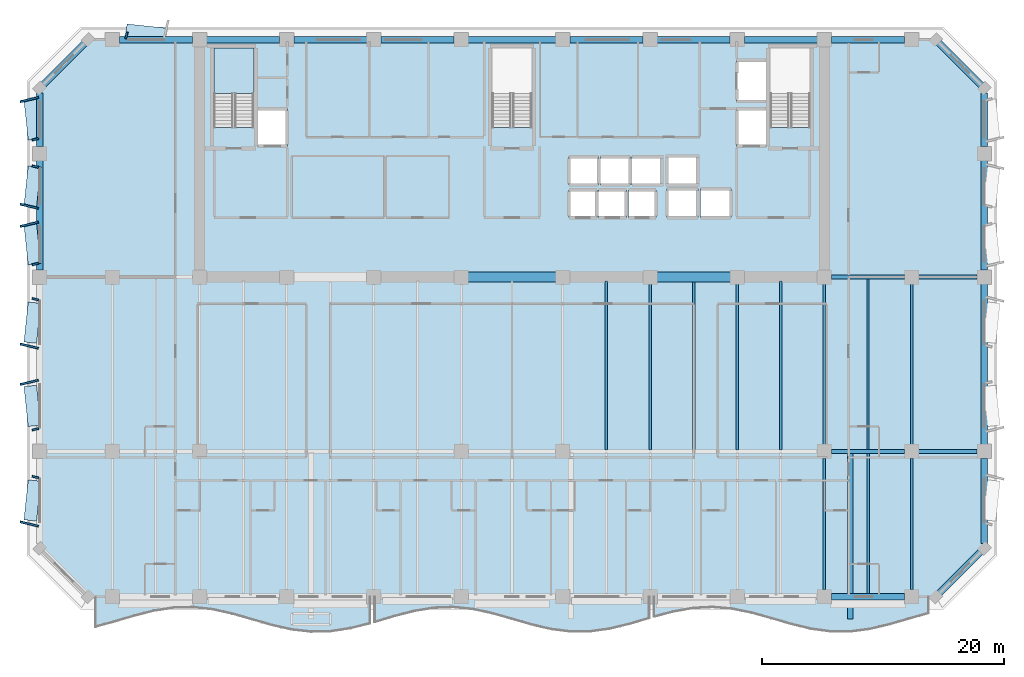
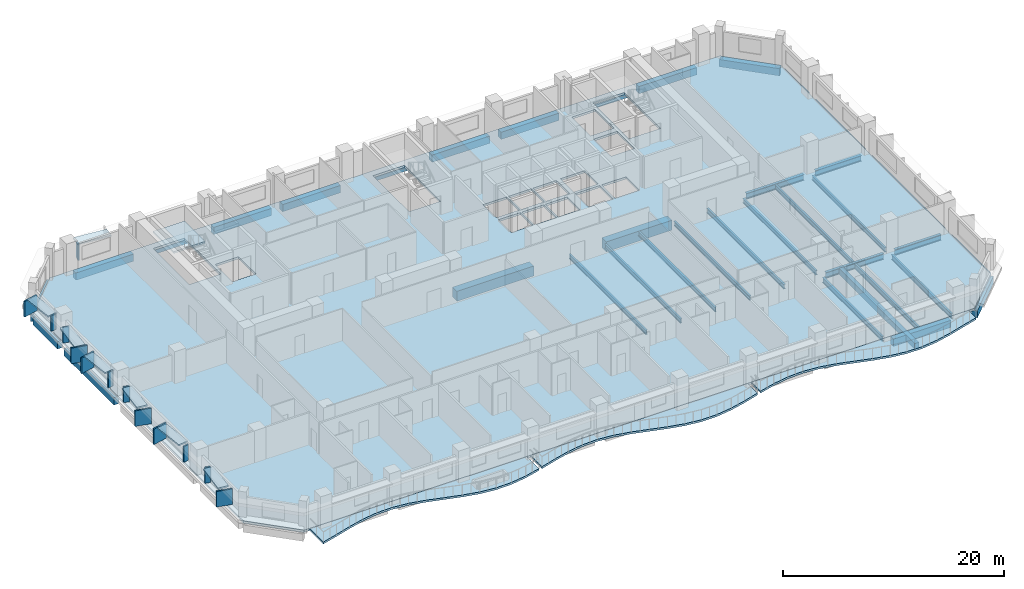
# One storey, part 2 of 15: 37 beams, 20 plates, 5 slabs, 1 element without a shape of its own.
"""IFC4 building model written with IfcOpenShell, lengths in metres."""

from ifc_helpers import new_model, si_unit, direction, frame, origin, origin_2d, place, context, subcontext, project, spatial, polyline, rectangle, i_section, outline, extrude, material, layer, layer_set, material_profile, profile_set, type_object, element, aggregate, save


model = new_model("IFC4")

# Units and contexts
model_context = context("Model", 3, precision=1e-05, world=origin(), true_north=direction((0.0, 1.0)))
body_context = subcontext(model_context, "Body", "Model", "MODEL_VIEW")
ifc_project = project(units=[si_unit("LENGTHUNIT", "METRE"), si_unit("AREAUNIT", "SQUARE_METRE"), si_unit("VOLUMEUNIT", "CUBIC_METRE"), si_unit("PLANEANGLEUNIT", "RADIAN"), si_unit("MASSUNIT", "GRAM", prefix="KILO")], contexts=[model_context])

# Site, building, storey
site_placement = place(None, origin())
site = spatial("IfcSite", under=ifc_project, at=site_placement, CompositionType="ELEMENT")
building_placement = place(site_placement, origin())
building = spatial("IfcBuilding", under=site, at=building_placement, Name="Kaelvorn Grand Hotel", CompositionType="ELEMENT")
storey_placement = place(building_placement, frame((0.0, 0.0, 150.550048828125)))
storey = spatial("IfcBuildingStorey", under=building, at=storey_placement, Name="L36", CompositionType="ELEMENT", Elevation=150.550048828125)

# Beams
ifc_material_1 = material(Name="Steel S355", Category="steel")
ifc_material_profile_1 = material_profile(ifc_material_1, i_section(OverallWidth=0.300048828125, OverallDepth=0.64990234375, WebThickness=0.01611328125, FlangeThickness=0.031005859375, FilletRadius=0.027099609375, at=origin_2d()), Name="HEB 650")
ifc_profile_set_1 = profile_set([ifc_material_profile_1], Name="Steel S355")
beam_type_1 = type_object("IfcBeamType", Name="BM-G-HEB650-S355", PredefinedType="BEAM", material=ifc_profile_set_1)
beam_1_placement = place(storey_placement, frame((68.385009765625, 15.0, -0.56494140625), z_axis=(1.0, 0.0, 0.0), x_axis=(0.0, 1.0, 0.0)))
element("IfcBeam", 1, at=beam_1_placement, inside=storey, type_object=beam_type_1, Name="L36 Primary Spine Steel Girder G-15 06", PredefinedType="BEAM", context=body_context, shape_type="SweptSolid", body=[
    extrude(i_section(OverallWidth=0.300048828125, OverallDepth=0.64990234375, WebThickness=0.01611328125, FlangeThickness=0.031005859375, FilletRadius=0.027099609375, at=origin_2d()), origin(), (0.0, 0.0, 1.0), 6.030029296875),
])
beam_2_placement = place(storey_placement, frame((75.5849609375, 15.0, -0.56494140625), z_axis=(1.0, 0.0, 0.0), x_axis=(0.0, 1.0, 0.0)))
element("IfcBeam", 2, at=beam_2_placement, inside=storey, type_object=beam_type_1, Name="L36 Primary Spine Steel Girder G-15 07", PredefinedType="BEAM", context=body_context, shape_type="SweptSolid", body=[
    extrude(i_section(OverallWidth=0.300048828125, OverallDepth=0.64990234375, WebThickness=0.01611328125, FlangeThickness=0.031005859375, FilletRadius=0.027099609375, at=origin_2d()), origin(), (0.0, 0.0, 1.0), 4.830078125),
])
beam_3_placement = place(storey_placement, frame((68.385009765625, 29.39990234375, -0.56494140625), z_axis=(1.0, 0.0, 0.0), x_axis=(0.0, 1.0, 0.0)))
element("IfcBeam", 3, at=beam_3_placement, inside=storey, type_object=beam_type_1, Name="L36 East Core Wing Steel Girder G-29E 01", PredefinedType="BEAM", context=body_context, shape_type="SweptSolid", body=[
    extrude(i_section(OverallWidth=0.300048828125, OverallDepth=0.64990234375, WebThickness=0.01611328125, FlangeThickness=0.031005859375, FilletRadius=0.027099609375, at=origin_2d()), origin(), (0.0, 0.0, 1.0), 6.030029296875),
])
beam_4_placement = place(storey_placement, frame((75.5849609375, 29.39990234375, -0.56494140625), z_axis=(1.0, 0.0, 0.0), x_axis=(0.0, 1.0, 0.0)))
element("IfcBeam", 4, at=beam_4_placement, inside=storey, type_object=beam_type_1, Name="L36 East Core Wing Steel Girder G-29E 02", PredefinedType="BEAM", context=body_context, shape_type="SweptSolid", body=[
    extrude(i_section(OverallWidth=0.300048828125, OverallDepth=0.64990234375, WebThickness=0.01611328125, FlangeThickness=0.031005859375, FilletRadius=0.027099609375, at=origin_2d()), origin(), (0.0, 0.0, 1.0), 4.830078125),
])
ifc_material_profile_2 = material_profile(ifc_material_1, i_section(OverallWidth=0.199951171875, OverallDepth=0.5, WebThickness=0.01025390625, FlangeThickness=0.01611328125, FilletRadius=0.02099609375, at=origin_2d()), Name="IPE 500")
ifc_profile_set_2 = profile_set([ifc_material_profile_2], Name="Steel S355")
beam_type_2 = type_object("IfcBeamType", Name="BM-J-IPE500-S355", PredefinedType="JOIST", material=ifc_profile_set_2)
beam_5_placement = place(storey_placement, frame((49.800048828125, 15.135009765625, -0.489990234375), z_axis=(0.0, 1.0, 0.0), x_axis=(-1.0, 0.0, 0.0)))
element("IfcBeam", 5, at=beam_5_placement, inside=storey, type_object=beam_type_2, Name="L36 Composite Floor Joist JM-14", PredefinedType="JOIST", context=body_context, shape_type="SweptSolid", body=[
    extrude(i_section(OverallWidth=0.199951171875, OverallDepth=0.5, WebThickness=0.01025390625, FlangeThickness=0.01611328125, FilletRadius=0.02099609375, at=origin_2d()), origin(), (0.0, 0.0, 1.0), 13.925048828125),
])
beam_6_placement = place(storey_placement, frame((53.39990234375, 15.135009765625, -0.489990234375), z_axis=(0.0, 1.0, 0.0), x_axis=(-1.0, 0.0, 0.0)))
element("IfcBeam", 6, at=beam_6_placement, inside=storey, type_object=beam_type_2, Name="L36 Composite Floor Joist JM-15", PredefinedType="JOIST", context=body_context, shape_type="SweptSolid", body=[
    extrude(i_section(OverallWidth=0.199951171875, OverallDepth=0.5, WebThickness=0.01025390625, FlangeThickness=0.01611328125, FilletRadius=0.02099609375, at=origin_2d()), origin(), (0.0, 0.0, 1.0), 13.679931640625),
])
beam_7_placement = place(storey_placement, frame((57.0, 15.135009765625, -0.489990234375), z_axis=(0.0, 1.0, 0.0), x_axis=(-1.0, 0.0, 0.0)))
element("IfcBeam", 7, at=beam_7_placement, inside=storey, type_object=beam_type_2, Name="L36 Composite Floor Joist JM-16", PredefinedType="JOIST", context=body_context, shape_type="SweptSolid", body=[
    extrude(i_section(OverallWidth=0.199951171875, OverallDepth=0.5, WebThickness=0.01025390625, FlangeThickness=0.01611328125, FilletRadius=0.02099609375, at=origin_2d()), origin(), (0.0, 0.0, 1.0), 13.925048828125),
])
beam_8_placement = place(storey_placement, frame((60.60009765625, 15.135009765625, -0.489990234375), z_axis=(0.0, 1.0, 0.0), x_axis=(-1.0, 0.0, 0.0)))
element("IfcBeam", 8, at=beam_8_placement, inside=storey, type_object=beam_type_2, Name="L36 Composite Floor Joist JM-17", PredefinedType="JOIST", context=body_context, shape_type="SweptSolid", body=[
    extrude(i_section(OverallWidth=0.199951171875, OverallDepth=0.5, WebThickness=0.01025390625, FlangeThickness=0.01611328125, FilletRadius=0.02099609375, at=origin_2d()), origin(), (0.0, 0.0, 1.0), 13.679931640625),
])
beam_9_placement = place(storey_placement, frame((64.199951171875, 15.135009765625, -0.489990234375), z_axis=(0.0, 1.0, 0.0), x_axis=(-1.0, 0.0, 0.0)))
element("IfcBeam", 9, at=beam_9_placement, inside=storey, type_object=beam_type_2, Name="L36 Composite Floor Joist JM-18", PredefinedType="JOIST", context=body_context, shape_type="SweptSolid", body=[
    extrude(i_section(OverallWidth=0.199951171875, OverallDepth=0.5, WebThickness=0.01025390625, FlangeThickness=0.01611328125, FilletRadius=0.02099609375, at=origin_2d()), origin(), (0.0, 0.0, 1.0), 13.925048828125),
])
beam_10_placement = place(storey_placement, frame((67.800048828125, 15.5849609375, -0.489990234375), z_axis=(0.0, 1.0, 0.0), x_axis=(-1.0, 0.0, 0.0)))
element("IfcBeam", 10, at=beam_10_placement, inside=storey, type_object=beam_type_2, Name="L36 Composite Floor Joist JM-19", PredefinedType="JOIST", context=body_context, shape_type="SweptSolid", body=[
    extrude(i_section(OverallWidth=0.199951171875, OverallDepth=0.5, WebThickness=0.01025390625, FlangeThickness=0.01611328125, FilletRadius=0.02099609375, at=origin_2d()), origin(), (0.0, 0.0, 1.0), 13.22998046875),
])
beam_11_placement = place(storey_placement, frame((71.39990234375, 15.135009765625, -0.489990234375), z_axis=(0.0, 1.0, 0.0), x_axis=(-1.0, 0.0, 0.0)))
element("IfcBeam", 11, at=beam_11_placement, inside=storey, type_object=beam_type_2, Name="L36 Composite Floor Joist JM-20", PredefinedType="JOIST", context=body_context, shape_type="SweptSolid", body=[
    extrude(i_section(OverallWidth=0.199951171875, OverallDepth=0.5, WebThickness=0.01025390625, FlangeThickness=0.01611328125, FilletRadius=0.02099609375, at=origin_2d()), origin(), (0.0, 0.0, 1.0), 14.1298828125),
])
beam_12_placement = place(storey_placement, frame((75.0, 15.5849609375, -0.489990234375), z_axis=(0.0, 1.0, 0.0), x_axis=(-1.0, 0.0, 0.0)))
element("IfcBeam", 12, at=beam_12_placement, inside=storey, type_object=beam_type_2, Name="L36 Composite Floor Joist JM-21", PredefinedType="JOIST", context=body_context, shape_type="SweptSolid", body=[
    extrude(i_section(OverallWidth=0.199951171875, OverallDepth=0.5, WebThickness=0.01025390625, FlangeThickness=0.01611328125, FilletRadius=0.02099609375, at=origin_2d()), origin(), (0.0, 0.0, 1.0), 13.22998046875),
])
ifc_material_profile_3 = material_profile(ifc_material_1, i_section(OverallWidth=0.2099609375, OverallDepth=0.550048828125, WebThickness=0.010986328125, FlangeThickness=0.01708984375, FilletRadius=0.02392578125, at=origin_2d()), Name="IPE 550")
ifc_profile_set_3 = profile_set([ifc_material_profile_3], Name="Steel S355")
beam_type_3 = type_object("IfcBeamType", Name="BM-J-IPE550-S355", PredefinedType="JOIST", material=ifc_profile_set_3)
beam_13_placement = place(storey_placement, frame((67.800048828125, 3.5849609375, -0.51513671875), z_axis=(0.0, 1.0, 0.0), x_axis=(-1.0, 0.0, 0.0)))
element("IfcBeam", 13, at=beam_13_placement, inside=storey, type_object=beam_type_3, Name="L36 Composite Floor Joist JS-19", PredefinedType="JOIST", context=body_context, shape_type="SweptSolid", body=[
    extrude(i_section(OverallWidth=0.2099609375, OverallDepth=0.550048828125, WebThickness=0.010986328125, FlangeThickness=0.01708984375, FilletRadius=0.02392578125, at=origin_2d()), origin(), (0.0, 0.0, 1.0), 10.830078125),
])
beam_14_placement = place(storey_placement, frame((71.39990234375, 3.260009765625, -0.51513671875), z_axis=(0.0, 1.0, 0.0), x_axis=(-1.0, 0.0, 0.0)))
element("IfcBeam", 14, at=beam_14_placement, inside=storey, type_object=beam_type_3, Name="L36 Composite Floor Joist JS-20", PredefinedType="JOIST", context=body_context, shape_type="SweptSolid", body=[
    extrude(i_section(OverallWidth=0.2099609375, OverallDepth=0.550048828125, WebThickness=0.010986328125, FlangeThickness=0.01708984375, FilletRadius=0.02392578125, at=origin_2d()), origin(), (0.0, 0.0, 1.0), 11.60498046875),
])
beam_15_placement = place(storey_placement, frame((75.0, 3.5849609375, -0.51513671875), z_axis=(0.0, 1.0, 0.0), x_axis=(-1.0, 0.0, 0.0)))
element("IfcBeam", 15, at=beam_15_placement, inside=storey, type_object=beam_type_3, Name="L36 Composite Floor Joist JS-21", PredefinedType="JOIST", context=body_context, shape_type="SweptSolid", body=[
    extrude(i_section(OverallWidth=0.2099609375, OverallDepth=0.550048828125, WebThickness=0.010986328125, FlangeThickness=0.01708984375, FilletRadius=0.02392578125, at=origin_2d()), origin(), (0.0, 0.0, 1.0), 10.830078125),
])
ifc_material_2 = material(Name="Concrete C60/75", Category="concrete")
ifc_material_profile_4 = material_profile(ifc_material_2, rectangle(XDim=0.800048828125, YDim=1.10009765625, at=origin_2d()), Name="RC LINTEL 800x1100")
ifc_profile_set_4 = profile_set([ifc_material_profile_4], Name="Concrete C60/75")
beam_type_4 = type_object("IfcBeamType", Name="BM-LIN-800x1100-C60", PredefinedType="LINTEL", material=ifc_profile_set_4)
beam_16_placement = place(storey_placement, frame((37.97998046875, 29.39990234375, -0.7900390625), z_axis=(1.0, 0.0, 0.0), x_axis=(0.0, 1.0, 0.0)))
element("IfcBeam", 16, at=beam_16_placement, inside=storey, type_object=beam_type_4, Name="L36 Rear-Core Coupling Lintel Beam CB1-02", PredefinedType="LINTEL", context=body_context, shape_type="SweptSolid", body=[
    extrude(rectangle(XDim=0.800048828125, YDim=1.10009765625, at=origin_2d()), origin(), (0.0, 0.0, 1.0), 8.0400390625),
])
beam_17_placement = place(storey_placement, frame((53.580078125, 29.39990234375, -0.7900390625), z_axis=(1.0, 0.0, 0.0), x_axis=(0.0, 1.0, 0.0)))
element("IfcBeam", 17, at=beam_17_placement, inside=storey, type_object=beam_type_4, Name="L36 Rear-Core Coupling Lintel Beam CB1-03", PredefinedType="LINTEL", context=body_context, shape_type="SweptSolid", body=[
    extrude(rectangle(XDim=0.800048828125, YDim=1.10009765625, at=origin_2d()), origin(), (0.0, 0.0, 1.0), 6.83984375),
])
ifc_material_3 = material(Name="Concrete C40/50", Category="concrete")
ifc_material_profile_5 = material_profile(ifc_material_3, rectangle(XDim=0.449951171875, YDim=0.64990234375, at=origin_2d()), Name="RC RIB 450x650")
ifc_profile_set_5 = profile_set([ifc_material_profile_5], Name="Concrete C40/50")
beam_type_5 = type_object("IfcBeamType", Name="BM-RIB-450x650-C40", PredefinedType="SPANDREL", material=ifc_profile_set_5)
beam_18_placement = place(storey_placement, frame((69.923828125, 1.14990234375, -0.545166015625), z_axis=(0.0, 1.0, 0.0), x_axis=(-1.0, 0.0, 0.0)))
element("IfcBeam", 18, at=beam_18_placement, inside=storey, type_object=beam_type_5, Name="L36 Cantilevered Balcony Back-Span Rib RB1-3", PredefinedType="SPANDREL", context=body_context, shape_type="SweptSolid", body=[
    extrude(rectangle(XDim=0.449951171875, YDim=0.64990234375, at=origin_2d()), origin(), (0.0, 0.0, 1.0), 13.715087890625),
])
ifc_material_4 = material(Name="Concrete C50/60", Category="concrete")
ifc_material_profile_6 = material_profile(ifc_material_4, rectangle(XDim=0.550048828125, YDim=0.800048828125, at=origin_2d()), Name="RC SPANDREL 550x800")
ifc_profile_set_6 = profile_set([ifc_material_profile_6], Name="Concrete C50/60")
beam_type_6 = type_object("IfcBeamType", Name="BM-SP-550x800-C50", PredefinedType="SPANDREL", material=ifc_profile_set_6)
for number, where, z_axis, x_axis, name in (
    (19, (68.385009765625, 3.0, -0.64013671875), (1.0, 0.0, 0.0), (0.0, 1.0, 0.0), "L36 South Perimeter Spandrel 10"),
    (20, (9.5849609375, 49.0, -0.64013671875), (1.0, 0.0, 0.0), (0.0, 1.0, 0.0), "L36 North Perimeter Spandrel 02"),
    (21, (16.784912109375, 49.0, -0.64013671875), (1.0, 0.0, 0.0), (0.0, 1.0, 0.0), "L36 North Perimeter Spandrel 03"),
):
    element("IfcBeam", number, at=place(storey_placement, frame(where, z_axis=z_axis, x_axis=x_axis)), inside=storey, type_object=beam_type_6, Name=name, PredefinedType="SPANDREL", context=body_context, shape_type="SweptSolid", body=[
        extrude(rectangle(XDim=0.550048828125, YDim=0.800048828125, at=origin_2d()), origin(), (0.0, 0.0, 1.0), 6.030029296875),
    ])
beam_19_placement = place(storey_placement, frame((23.985107421875, 49.0, -0.64013671875), z_axis=(1.0, 0.0, 0.0), x_axis=(0.0, 1.0, 0.0)))
element("IfcBeam", 22, at=beam_19_placement, inside=storey, type_object=beam_type_6, Name="L36 North Perimeter Spandrel 04", PredefinedType="SPANDREL", context=body_context, shape_type="SweptSolid", body=[
    extrude(rectangle(XDim=0.550048828125, YDim=0.800048828125, at=origin_2d()), origin(), (0.0, 0.0, 1.0), 6.02978515625),
])
beam_20_placement = place(storey_placement, frame((31.18505859375, 49.0, -0.64013671875), z_axis=(1.0, 0.0, 0.0), x_axis=(0.0, 1.0, 0.0)))
element("IfcBeam", 23, at=beam_20_placement, inside=storey, type_object=beam_type_6, Name="L36 North Perimeter Spandrel 05", PredefinedType="SPANDREL", context=body_context, shape_type="SweptSolid", body=[
    extrude(rectangle(XDim=0.550048828125, YDim=0.800048828125, at=origin_2d()), origin(), (0.0, 0.0, 1.0), 6.030029296875),
])
beam_21_placement = place(storey_placement, frame((38.385009765625, 49.0, -0.64013671875), z_axis=(1.0, 0.0, 0.0), x_axis=(0.0, 1.0, 0.0)))
element("IfcBeam", 24, at=beam_21_placement, inside=storey, type_object=beam_type_6, Name="L36 North Perimeter Spandrel 06", PredefinedType="SPANDREL", context=body_context, shape_type="SweptSolid", body=[
    extrude(rectangle(XDim=0.550048828125, YDim=0.800048828125, at=origin_2d()), origin(), (0.0, 0.0, 1.0), 7.22998046875),
])
beam_22_placement = place(storey_placement, frame((46.784912109375, 49.0, -0.64013671875), z_axis=(1.0, 0.0, 0.0), x_axis=(0.0, 1.0, 0.0)))
element("IfcBeam", 25, at=beam_22_placement, inside=storey, type_object=beam_type_6, Name="L36 North Perimeter Spandrel 07", PredefinedType="SPANDREL", context=body_context, shape_type="SweptSolid", body=[
    extrude(rectangle(XDim=0.550048828125, YDim=0.800048828125, at=origin_2d()), origin(), (0.0, 0.0, 1.0), 6.030029296875),
])
beam_23_placement = place(storey_placement, frame((53.985107421875, 49.0, -0.64013671875), z_axis=(1.0, 0.0, 0.0), x_axis=(0.0, 1.0, 0.0)))
element("IfcBeam", 26, at=beam_23_placement, inside=storey, type_object=beam_type_6, Name="L36 North Perimeter Spandrel 08", PredefinedType="SPANDREL", context=body_context, shape_type="SweptSolid", body=[
    extrude(rectangle(XDim=0.550048828125, YDim=0.800048828125, at=origin_2d()), origin(), (0.0, 0.0, 1.0), 6.02978515625),
])
for number, where, z_axis, x_axis, name in (
    (27, (61.18505859375, 49.0, -0.64013671875), (1.0, 0.0, 0.0), (0.0, 1.0, 0.0), "L36 North Perimeter Spandrel 09"),
    (28, (68.385009765625, 49.0, -0.64013671875), (1.0, 0.0, 0.0), (0.0, 1.0, 0.0), "L36 North Perimeter Spandrel 10"),
):
    element("IfcBeam", number, at=place(storey_placement, frame(where, z_axis=z_axis, x_axis=x_axis)), inside=storey, type_object=beam_type_6, Name=name, PredefinedType="SPANDREL", context=body_context, shape_type="SweptSolid", body=[
        extrude(rectangle(XDim=0.550048828125, YDim=0.800048828125, at=origin_2d()), origin(), (0.0, 0.0, 1.0), 6.030029296875),
    ])
beam_24_placement = place(storey_placement, frame((3.0, 29.985107421875, -0.64013671875), z_axis=(0.0, 1.0, 0.0), x_axis=(-1.0, 0.0, 0.0)))
element("IfcBeam", 29, at=beam_24_placement, inside=storey, type_object=beam_type_6, Name="L36 West Perimeter Spandrel 03", PredefinedType="SPANDREL", context=body_context, shape_type="SweptSolid", body=[
    extrude(rectangle(XDim=0.550048828125, YDim=0.800048828125, at=origin_2d()), origin(), (0.0, 0.0, 1.0), 9.02978515625),
])
beam_25_placement = place(storey_placement, frame((3.0, 40.18505859375, -0.64013671875), z_axis=(0.0, 1.0, 0.0), x_axis=(-1.0, 0.0, 0.0)))
element("IfcBeam", 30, at=beam_25_placement, inside=storey, type_object=beam_type_6, Name="L36 West Perimeter Spandrel 04", PredefinedType="SPANDREL", context=body_context, shape_type="SweptSolid", body=[
    extrude(rectangle(XDim=0.550048828125, YDim=0.800048828125, at=origin_2d()), origin(), (0.0, 0.0, 1.0), 4.409912109375),
])
beam_26_placement = place(storey_placement, frame((81.0, 7.405029296875, -0.64013671875), z_axis=(0.0, 1.0, 0.0), x_axis=(-1.0, 0.0, 0.0)))
element("IfcBeam", 31, at=beam_26_placement, inside=storey, type_object=beam_type_6, Name="L36 East Perimeter Spandrel 01", PredefinedType="SPANDREL", context=body_context, shape_type="SweptSolid", body=[
    extrude(rectangle(XDim=0.550048828125, YDim=0.800048828125, at=origin_2d()), origin(), (0.0, 0.0, 1.0), 7.010009765625),
])
beam_27_placement = place(storey_placement, frame((81.0, 15.5849609375, -0.64013671875), z_axis=(0.0, 1.0, 0.0), x_axis=(-1.0, 0.0, 0.0)))
element("IfcBeam", 32, at=beam_27_placement, inside=storey, type_object=beam_type_6, Name="L36 East Perimeter Spandrel 02", PredefinedType="SPANDREL", context=body_context, shape_type="SweptSolid", body=[
    extrude(rectangle(XDim=0.550048828125, YDim=0.800048828125, at=origin_2d()), origin(), (0.0, 0.0, 1.0), 13.22998046875),
])
beam_28_placement = place(storey_placement, frame((81.0, 29.985107421875, -0.64013671875), z_axis=(0.0, 1.0, 0.0), x_axis=(-1.0, 0.0, 0.0)))
element("IfcBeam", 33, at=beam_28_placement, inside=storey, type_object=beam_type_6, Name="L36 East Perimeter Spandrel 03", PredefinedType="SPANDREL", context=body_context, shape_type="SweptSolid", body=[
    extrude(rectangle(XDim=0.550048828125, YDim=0.800048828125, at=origin_2d()), origin(), (0.0, 0.0, 1.0), 9.02978515625),
])
beam_29_placement = place(storey_placement, frame((81.0, 40.18505859375, -0.64013671875), z_axis=(0.0, 1.0, 0.0), x_axis=(-1.0, 0.0, 0.0)))
element("IfcBeam", 34, at=beam_29_placement, inside=storey, type_object=beam_type_6, Name="L36 East Perimeter Spandrel 04", PredefinedType="SPANDREL", context=body_context, shape_type="SweptSolid", body=[
    extrude(rectangle(XDim=0.550048828125, YDim=0.800048828125, at=origin_2d()), origin(), (0.0, 0.0, 1.0), 4.409912109375),
])
for number, where, z_axis, x_axis, name in (
    (35, (77.0, 3.0, -0.64013671875), (0.707106781187, 0.707106781187, 0.0), (-0.707106781187, 0.707106781187, 0.0), "L36 Chamfer Spandrel Beam 1"),
    (36, (81.0, 45.0, -0.64013671875), (-0.707106781187, 0.707106781187, 0.0), (-0.707106781187, -0.707106781187, 0.0), "L36 Chamfer Spandrel Beam 2"),
    (37, (7.0, 49.0, -0.64013671875), (-0.707106781187, -0.707106781187, 0.0), (0.707106781187, -0.707106781187, 0.0), "L36 Chamfer Spandrel Beam 3"),
):
    element("IfcBeam", number, at=place(storey_placement, frame(where, z_axis=z_axis, x_axis=x_axis)), inside=storey, type_object=beam_type_6, Name=name, PredefinedType="SPANDREL", context=body_context, shape_type="SweptSolid", body=[
        extrude(rectangle(XDim=0.550048828125, YDim=0.800048828125, at=origin_2d()), origin(), (0.0, 0.0, 1.0), 5.65673828125),
    ])

# Plates
ifc_material_5 = material(Name="Precast concrete C45/55", Category="concrete")
ifc_layer_1 = layer(ifc_material_5, 0.159912109375)
ifc_layer_set_1 = layer_set([ifc_layer_1], Name="Precast concrete C45/55")
plate_type_1 = type_object("IfcPlateType", Name="PL-FRAME-DEEP-1550", PredefinedType="USERDEFINED", material=ifc_layer_set_1)
for number, where, z_axis, x_axis, name in (
    (38, (2.14501953125, 9.010009765625, 0.81494140625), (0.0, 0.0, 1.0), (0.233445363856, 0.972369920398, 0.0), "L36 Tilted Precast Window Frame Fin L-W01"),
    (39, (2.14501953125, 20.705078125, 0.81494140625), (0.0, 0.0, 1.0), (-0.233445363856, 0.972369920398, 0.0), "L36 Tilted Precast Window Frame Fin R-W02"),
    (40, (2.14501953125, 23.695068359375, 0.81494140625), (0.0, 0.0, 1.0), (0.233445363856, 0.972369920398, 0.0), "L36 Tilted Precast Window Frame Fin L-W03"),
    (41, (2.14501953125, 33.7548828125, 0.73974609375), (0.0, 0.0, 1.0), (-0.233445363856, 0.972369920398, 0.0), "L36 Tilted Precast Window Frame Fin R-W04"),
    (42, (2.14501953125, 35.2451171875, 0.73974609375), (0.0, 0.0, 1.0), (0.233445363856, 0.972369920398, 0.0), "L36 Tilted Precast Window Frame Fin L-W05"),
    (43, (2.14501953125, 44.054931640625, 0.73974609375), (0.0, 0.0, 1.0), (-0.233445363856, 0.972369920398, 0.0), "L36 Tilted Precast Window Frame Fin R-W06"),
):
    element("IfcPlate", number, at=place(storey_placement, frame(where, z_axis=z_axis, x_axis=x_axis)), inside=storey, type_object=plate_type_1, Name=name, ObjectType="FLANGE_PLATE", PredefinedType="USERDEFINED", context=body_context, shape_type="SweptSolid", body=[
        extrude(rectangle(XDim=0.159912109375, YDim=1.550048828125, at=origin_2d()), origin(), (0.0, 0.0, 1.0), 1.719970703125),
    ])
ifc_layer_2 = layer(ifc_material_5, 0.159912109375)
ifc_layer_set_2 = layer_set([ifc_layer_2], Name="Precast concrete C45/55")
plate_type_2 = type_object("IfcPlateType", Name="PL-FRAME-HEAD-1050", PredefinedType="USERDEFINED", material=ifc_layer_set_2)
for number, where, z_axis, x_axis, name in (
    (44, (2.39501953125, 10.949951171875, 2.5), (0.0, 0.0, 1.0), (0.105830199459, 0.994384215926, 0.0), "L36 Precast Window Frame Head Hood H-W01"),
    (45, (2.39501953125, 18.764892578125, 2.5), (0.0, 0.0, 1.0), (-0.105830199459, 0.994384215926, 0.0), "L36 Precast Window Frame Head Hood H-W02"),
    (46, (2.39501953125, 25.635009765625, 2.5), (0.0, 0.0, 1.0), (0.105830199459, 0.994384215926, 0.0), "L36 Precast Window Frame Head Hood H-W03"),
    (47, (2.39501953125, 32.114990234375, 2.35009765625), (0.0, 0.0, 1.0), (-0.105830199459, 0.994384215926, 0.0), "L36 Precast Window Frame Head Hood H-W04"),
    (48, (2.39501953125, 36.885009765625, 2.35009765625), (0.0, 0.0, 1.0), (0.105830199459, 0.994384215926, 0.0), "L36 Precast Window Frame Head Hood H-W05"),
    (49, (2.39501953125, 42.4150390625, 2.35009765625), (0.0, 0.0, 1.0), (-0.105830199459, 0.994384215926, 0.0), "L36 Precast Window Frame Head Hood H-W06"),
    (50, (11.800048828125, 49.60498046875, 2.35009765625), (0.0, 0.0, 1.0), (0.994384215926, -0.105830199459, 0.0), "L36 Precast Window Frame Head Hood H-N01"),
):
    element("IfcPlate", number, at=place(storey_placement, frame(where, z_axis=z_axis, x_axis=x_axis)), inside=storey, type_object=plate_type_2, Name=name, ObjectType="FLANGE_PLATE", PredefinedType="USERDEFINED", context=body_context, shape_type="SweptSolid", body=[
        extrude(rectangle(XDim=3.320068359375, YDim=1.050048828125, at=origin_2d()), origin(), (0.0, 0.0, 1.0), 0.159912109375),
    ])
ifc_layer_3 = layer(ifc_material_5, 0.159912109375)
ifc_layer_set_3 = layer_set([ifc_layer_3], Name="Precast concrete C45/55")
plate_type_3 = type_object("IfcPlateType", Name="PL-FRAME-SHAL-550", PredefinedType="USERDEFINED", material=ifc_layer_set_3)
for number, where, z_axis, x_axis, name in (
    (51, (2.64501953125, 12.889892578125, 0.81494140625), (0.0, 0.0, 1.0), (0.233445363856, 0.972369920398, 0.0), "L36 Tilted Precast Window Frame Fin R-W01"),
    (52, (2.64501953125, 16.824951171875, 0.81494140625), (0.0, 0.0, 1.0), (-0.233445363856, 0.972369920398, 0.0), "L36 Tilted Precast Window Frame Fin L-W02"),
    (53, (2.64501953125, 27.574951171875, 0.81494140625), (0.0, 0.0, 1.0), (0.233445363856, 0.972369920398, 0.0), "L36 Tilted Precast Window Frame Fin R-W03"),
    (54, (2.64501953125, 30.47509765625, 0.73974609375), (0.0, 0.0, 1.0), (-0.233445363856, 0.972369920398, 0.0), "L36 Tilted Precast Window Frame Fin L-W04"),
    (55, (2.64501953125, 38.52490234375, 0.73974609375), (0.0, 0.0, 1.0), (0.233445363856, 0.972369920398, 0.0), "L36 Tilted Precast Window Frame Fin R-W05"),
    (56, (2.64501953125, 40.77490234375, 0.73974609375), (0.0, 0.0, 1.0), (-0.233445363856, 0.972369920398, 0.0), "L36 Tilted Precast Window Frame Fin L-W06"),
    (57, (10.159912109375, 49.35498046875, 0.73974609375), (0.0, 0.0, 1.0), (0.972369920398, -0.233445363856, 0.0), "L36 Tilted Precast Window Frame Fin L-N01"),
):
    element("IfcPlate", number, at=place(storey_placement, frame(where, z_axis=z_axis, x_axis=x_axis)), inside=storey, type_object=plate_type_3, Name=name, ObjectType="FLANGE_PLATE", PredefinedType="USERDEFINED", context=body_context, shape_type="SweptSolid", body=[
        extrude(rectangle(XDim=0.159912109375, YDim=0.550048828125, at=origin_2d()), origin(), (0.0, 0.0, 1.0), 1.719970703125),
    ])

# Slabs
ifc_layer_4 = layer(ifc_material_3, 0.219970703125)
ifc_layer_set_4 = layer_set([ifc_layer_4], Name="Concrete C40/50")
slab_type_1 = type_object("IfcSlabType", Name="SLB-BALC-220-C40", PredefinedType="FLOOR", material=ifc_layer_set_4)
slab_1_placement = place(storey_placement, frame((0.0, 0.0, -0.219970703125)))
element("IfcSlab", 58, at=slab_1_placement, inside=storey, type_object=slab_type_1, Name="L36 Scalloped Wave Balcony Slab 1", PredefinedType="FLOOR", context=body_context, shape_type="SweptSolid", body=[
    extrude(outline(polyline([(7.60009765625, 0.5224609375), (9.218994140625, 0.96435546875), (10.838134765625, 1.441162109375), (12.45703125, 1.84912109375), (14.076171875, 2.099365234375), (15.6953125, 2.1376953125), (17.314208984375, 1.955322265625), (18.933349609375, 1.592041015625), (20.552490234375, 1.127197265625), (22.17138671875, 0.661865234375), (23.79052734375, 0.29736328125), (25.409423828125, 0.113037109375), (27.028564453125, 0.149169921875), (28.647705078125, 0.397705078125), (30.2666015625, 0.804443359375), (30.2666015625, 3.0), (7.60009765625, 3.0), (7.60009765625, 0.5224609375)])), origin(), (0.0, 0.0, 1.0), 0.219970703125),
])
slab_2_placement = place(storey_placement, frame((0.0, 0.0, -0.219970703125)))
element("IfcSlab", 59, at=slab_2_placement, inside=storey, type_object=slab_type_1, Name="L36 Scalloped Wave Balcony Slab 2", PredefinedType="FLOOR", context=body_context, shape_type="SweptSolid", body=[
    extrude(outline(polyline([(30.666748046875, 0.919677734375), (32.28564453125, 1.397705078125), (33.90478515625, 1.81640625), (35.52392578125, 2.08447265625), (37.142822265625, 2.1435546875), (38.761962890625, 1.98095703125), (40.380859375, 1.632080078125), (42.0, 1.172607421875), (43.619140625, 0.702880859375), (45.238037109375, 0.324951171875), (46.857177734375, 0.121337890625), (48.47607421875, 0.13623046875), (50.09521484375, 0.3662109375), (51.71435546875, 0.76171875), (53.333251953125, 1.236083984375), (53.333251953125, 3.0), (30.666748046875, 3.0), (30.666748046875, 0.919677734375)])), origin(), (0.0, 0.0, 1.0), 0.219970703125),
])
slab_3_placement = place(storey_placement, frame((0.0, 0.0, -0.219970703125)))
element("IfcSlab", 60, at=slab_3_placement, inside=storey, type_object=slab_type_1, Name="L36 Scalloped Wave Balcony Slab 3", PredefinedType="FLOOR", context=body_context, shape_type="SweptSolid", body=[
    extrude(outline(polyline([(53.7333984375, 1.353759765625), (55.352294921875, 1.7822265625), (56.971435546875, 2.067626953125), (58.590576171875, 2.147705078125), (60.20947265625, 2.005126953125), (61.82861328125, 1.671142578125), (63.447509765625, 1.218017578125), (65.066650390625, 0.74462890625), (66.685791015625, 0.354248046875), (68.3046875, 0.131591796875), (69.923828125, 0.125244140625), (71.54296875, 0.33642578125), (73.161865234375, 0.719482421875), (74.781005859375, 1.19091796875), (76.39990234375, 1.647705078125), (76.39990234375, 3.0), (53.7333984375, 3.0), (53.7333984375, 1.353759765625)])), origin(), (0.0, 0.0, 1.0), 0.219970703125),
])
ifc_layer_5 = layer(ifc_material_3, 0.239990234375)
ifc_layer_set_5 = layer_set([ifc_layer_5], Name="Concrete C40/50")
slab_type_2 = type_object("IfcSlabType", Name="SLB-FLR-240-C40", PredefinedType="FLOOR", material=ifc_layer_set_5)
slab_4_placement = place(storey_placement, frame((0.0, 0.0, -0.239990234375)))
element("IfcSlab", 61, at=slab_4_placement, inside=storey, type_object=slab_type_2, Name="L36 Indoor Suspended Floor Slab", PredefinedType="FLOOR", context=body_context, shape_type="SweptSolid", body=[
    extrude(outline(polyline([(7.0, 3.0), (77.0, 3.0), (81.0, 7.0), (81.0, 45.0), (77.0, 49.0), (7.0, 49.0), (3.0, 45.0), (3.0, 7.0), (7.0, 3.0)]), holes=[polyline([(17.39990234375, 41.760009765625), (17.39990234375, 48.300048828125), (20.679931640625, 48.300048828125), (20.679931640625, 41.760009765625), (17.39990234375, 41.760009765625)]), polyline([(40.360107421875, 41.760009765625), (40.360107421875, 48.300048828125), (43.639892578125, 48.300048828125), (43.639892578125, 41.760009765625), (40.360107421875, 41.760009765625)]), polyline([(63.320068359375, 41.760009765625), (63.320068359375, 48.300048828125), (66.60009765625, 48.300048828125), (66.60009765625, 41.760009765625), (63.320068359375, 41.760009765625)]), polyline([(46.699951171875, 34.300048828125), (46.699951171875, 36.60009765625), (49.0, 36.60009765625), (49.0, 34.300048828125), (46.699951171875, 34.300048828125)]), polyline([(49.14990234375, 34.300048828125), (49.14990234375, 36.60009765625), (51.449951171875, 36.60009765625), (51.449951171875, 34.300048828125), (49.14990234375, 34.300048828125)]), polyline([(51.60009765625, 34.300048828125), (51.60009765625, 36.60009765625), (53.89990234375, 36.60009765625), (53.89990234375, 34.300048828125), (51.60009765625, 34.300048828125)]), polyline([(46.699951171875, 37.0), (46.699951171875, 39.35009765625), (49.14990234375, 39.35009765625), (49.14990234375, 37.0), (46.699951171875, 37.0)]), polyline([(49.300048828125, 37.0), (49.300048828125, 39.35009765625), (51.75, 39.35009765625), (51.75, 37.0), (49.300048828125, 37.0)]), polyline([(51.89990234375, 37.0), (51.89990234375, 39.35009765625), (54.35009765625, 39.35009765625), (54.35009765625, 37.0), (51.89990234375, 37.0)]), polyline([(54.800048828125, 34.300048828125), (54.800048828125, 36.699951171875), (57.35009765625, 36.699951171875), (57.35009765625, 34.300048828125), (54.800048828125, 34.300048828125)]), polyline([(57.550048828125, 34.300048828125), (57.550048828125, 36.699951171875), (60.10009765625, 36.699951171875), (60.10009765625, 34.300048828125), (57.550048828125, 34.300048828125)]), polyline([(54.800048828125, 37.0), (54.800048828125, 39.39990234375), (57.35009765625, 39.39990234375), (57.35009765625, 37.0), (54.800048828125, 37.0)]), polyline([(21.0, 40.199951171875), (21.0, 43.300048828125), (23.449951171875, 43.300048828125), (23.449951171875, 40.199951171875), (21.0, 40.199951171875)]), polyline([(60.550048828125, 40.199951171875), (60.550048828125, 43.300048828125), (63.0, 43.300048828125), (63.0, 40.199951171875), (60.550048828125, 40.199951171875)]), polyline([(60.550048828125, 43.89990234375), (60.550048828125, 47.300048828125), (63.0, 47.300048828125), (63.0, 43.89990234375), (60.550048828125, 43.89990234375)])]), origin(), (0.0, 0.0, 1.0), 0.239990234375),
])

# Stair, slab
stair_type = type_object("IfcStairType", Name="STR-DOG-1560-R08", PredefinedType="HALF_TURN_STAIR", material=ifc_material_3)
stair_placement = place(storey_placement, origin())
stair = element("IfcStair", 62, at=stair_placement, inside=storey, type_object=stair_type, Name="L36 West Core Exit Stair ST1", PredefinedType="HALF_TURN_STAIR")
ifc_layer_6 = layer(ifc_material_3, 0.199951171875)
ifc_layer_set_6 = layer_set([ifc_layer_6], Name="Concrete C40/50")
slab_type_3 = type_object("IfcSlabType", Name="SLB-LAND-200-C40", PredefinedType="LANDING", material=ifc_layer_set_6)
slab_5_placement = place(storey_placement, frame((0.0, 0.0, 1.699951171875)))
slab_5 = element("IfcSlab", 63, at=slab_5_placement, type_object=slab_type_3, Name="ST1 landing 1", PredefinedType="LANDING", context=body_context, shape_type="SweptSolid", body=[
    extrude(outline(polyline([(20.679931640625, 44.56005859375), (20.679931640625, 48.300048828125), (17.39990234375, 48.300048828125), (17.39990234375, 44.56005859375), (20.679931640625, 44.56005859375)])), origin(), (0.0, 0.0, 1.0), 0.199951171875),
])
aggregate(stair, [slab_5])

save(model, "model.ifc")
